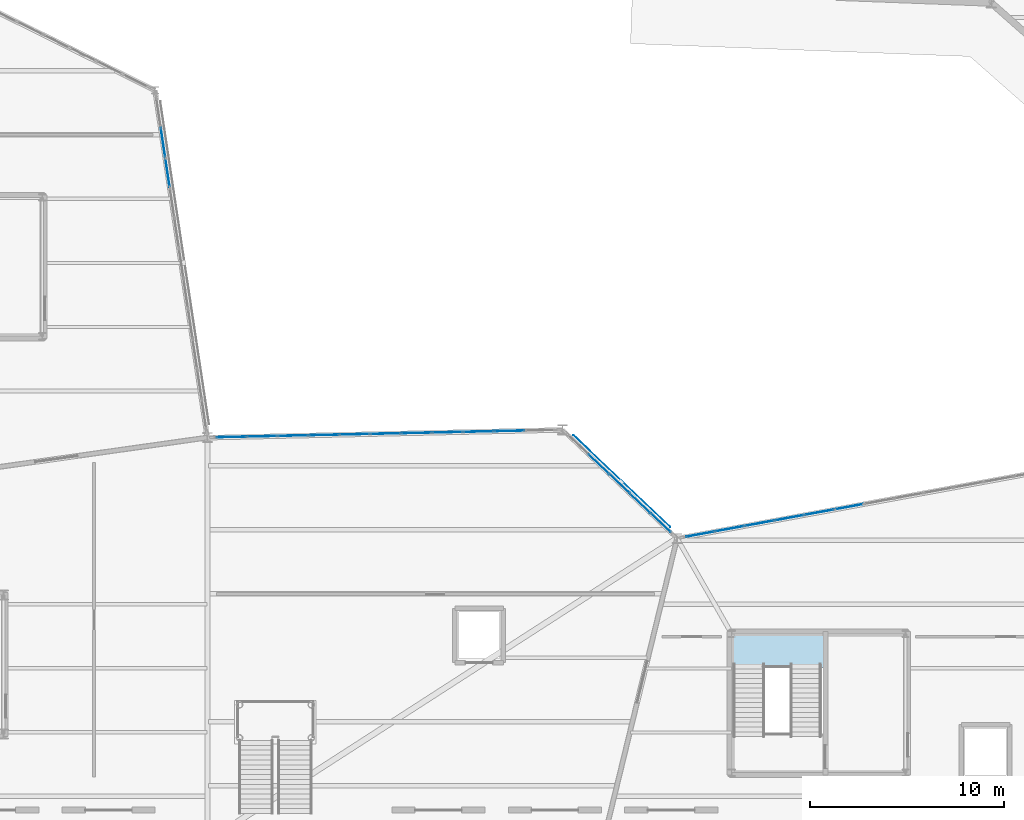
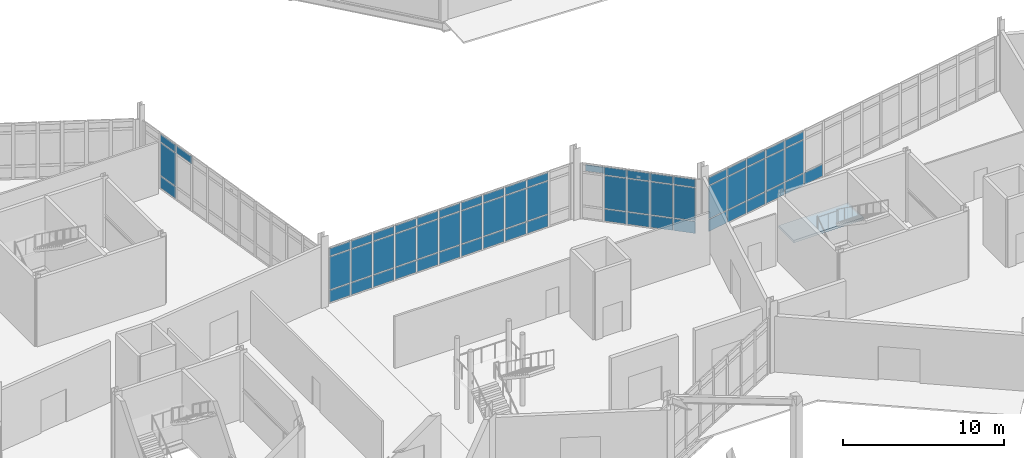
# One storey, part 73 of 113: 63 plates, 1 slab, 5 elements without a shape of their own.
"""IFC4 building model written with IfcOpenShell, lengths in metres."""

from ifc_helpers import new_model, si_unit, direction, frame, origin, origin_2d, place, context, subcontext, project, spatial, polyline, rectangle, outline, extrude, material, layer, layer_set, type_object, element, aggregate, save


model = new_model("IFC4")

# Units and contexts
model_context = context("Model", 3, precision=1e-05, world=origin(), true_north=direction((0.0, 1.0)))
body_context = subcontext(model_context, "Body", "Model", "MODEL_VIEW")
ifc_project = project(units=[si_unit("LENGTHUNIT", "METRE"), si_unit("AREAUNIT", "SQUARE_METRE"), si_unit("VOLUMEUNIT", "CUBIC_METRE"), si_unit("PLANEANGLEUNIT", "RADIAN"), si_unit("MASSUNIT", "GRAM", prefix="KILO")], contexts=[model_context])

# Site, building, storey
site_placement = place(None, origin())
site = spatial("IfcSite", under=ifc_project, at=site_placement, CompositionType="ELEMENT")
building_placement = place(site_placement, origin())
building = spatial("IfcBuilding", under=site, at=building_placement, Name="Tameran Prism Museum", CompositionType="ELEMENT")
storey_placement = place(building_placement, origin())
storey = spatial("IfcBuildingStorey", under=building, at=storey_placement, Name="L00", CompositionType="ELEMENT", Elevation=0.0)

# Curtain wall, plates
ifc_material_1 = material(Name="Anodised Aluminium 6063-T6 and Cyclone Solar Glass", Category="aluminium")
curtain_wall_type_1 = type_object("IfcCurtainWallType", Name="CW-FAC-1734x422", PredefinedType="USERDEFINED", material=ifc_material_1)
curtain_wall_1_placement = place(storey_placement, origin())
curtain_wall_1 = element("IfcCurtainWall", 1, at=curtain_wall_1_placement, inside=storey, type_object=curtain_wall_type_1, Name="Unitised Curtain Wall CW-033", ObjectType="UNITISED CURTAIN WALL", PredefinedType="USERDEFINED")
ifc_material_2 = material(Name="Low-E Laminated Solar Glass", Category="glass")
ifc_layer_1 = layer(ifc_material_2, 0.028076171875)
ifc_layer_set_1 = layer_set([ifc_layer_1])
plate_type_1 = type_object("IfcPlateType", Name="CW-PNL-G28", PredefinedType="CURTAIN_PANEL", material=ifc_layer_set_1)
plate_1_placement = place(storey_placement, frame((75.204833984375, 63.41552734375, 0.0751953125), z_axis=(0.0, 0.0, 1.0), x_axis=(0.149166532852, -0.988812088052, 0.0)))
plate_1 = element("IfcPlate", 2, at=plate_1_placement, type_object=plate_type_1, Name="CW-033 panel 2.1", PredefinedType="CURTAIN_PANEL", context=body_context, shape_type="SweptSolid", body=[
    extrude(rectangle(XDim=1.501708984375, YDim=0.028076171875, at=origin_2d()), origin(), (0.0, 0.0, 1.0), 0.887451171875),
])
plate_2_placement = place(storey_placement, frame((75.204833984375, 63.41552734375, 1.03759765625), z_axis=(0.0, 0.0, 1.0), x_axis=(0.149166532852, -0.988812088052, 0.0)))
plate_2 = element("IfcPlate", 3, at=plate_2_placement, type_object=plate_type_1, Name="CW-033 panel 2.2", PredefinedType="CURTAIN_PANEL", context=body_context, shape_type="SweptSolid", body=[
    extrude(rectangle(XDim=1.501708984375, YDim=0.028076171875, at=origin_2d()), origin(), (0.0, 0.0, 1.0), 2.465087890625),
])
plate_3_placement = place(storey_placement, frame((75.204833984375, 63.41552734375, 3.57763671875), z_axis=(0.0, 0.0, 1.0), x_axis=(0.149166532852, -0.988812088052, 0.0)))
plate_3 = element("IfcPlate", 4, at=plate_3_placement, type_object=plate_type_1, Name="CW-033 panel 2.3", PredefinedType="CURTAIN_PANEL", context=body_context, shape_type="SweptSolid", body=[
    extrude(rectangle(XDim=1.501708984375, YDim=0.028076171875, at=origin_2d()), origin(), (0.0, 0.0, 1.0), 0.5673828125),
])
plate_4_placement = place(storey_placement, frame((75.43994140625, 61.8564453125, 3.57763671875), z_axis=(0.0, 0.0, 1.0), x_axis=(0.149166532852, -0.988812088052, 0.0)))
plate_4 = element("IfcPlate", 5, at=plate_4_placement, type_object=plate_type_1, Name="CW-033 panel 3.3", PredefinedType="CURTAIN_PANEL", context=body_context, shape_type="SweptSolid", body=[
    extrude(rectangle(XDim=1.501708984375, YDim=0.028076171875, at=origin_2d()), origin(), (0.0, 0.0, 1.0), 0.5673828125),
])
aggregate(curtain_wall_1, [plate_1, plate_2, plate_3, plate_4])

ifc_material_3 = material(Name="Anodised Aluminium 6063-T6 and Cyclone Solar Glass", Category="aluminium")
curtain_wall_type_2 = type_object("IfcCurtainWallType", Name="CW-FAC-738x422", PredefinedType="USERDEFINED", material=ifc_material_3)
curtain_wall_2_placement = place(storey_placement, origin())
curtain_wall_2 = element("IfcCurtainWall", 6, at=curtain_wall_2_placement, inside=storey, type_object=curtain_wall_type_2, Name="Unitised Curtain Wall CW-031", ObjectType="UNITISED CURTAIN WALL", PredefinedType="USERDEFINED")
ifc_material_4 = material(Name="Cyclone Laminated Solar Glass", Category="glass")
ifc_layer_2 = layer(ifc_material_4, 0.031982421875)
ifc_layer_set_2 = layer_set([ifc_layer_2])
plate_type_2 = type_object("IfcPlateType", Name="CW-PNL-G32", PredefinedType="CURTAIN_PANEL", material=ifc_layer_set_2)
plate_5_placement = place(storey_placement, frame((97.65869140625, 46.8359375, 0.06494140625), z_axis=(0.0, 0.0, 1.0), x_axis=(0.725307438491, -0.688425100987, 0.0)))
plate_5 = element("IfcPlate", 7, at=plate_5_placement, type_object=plate_type_2, Name="CW-031 panel 2.1", PredefinedType="CURTAIN_PANEL", context=body_context, shape_type="SweptSolid", body=[
    extrude(rectangle(XDim=1.409912109375, YDim=0.031982421875, at=origin_2d()), origin(), (0.0, 0.0, 1.0), 0.902587890625),
])
plate_6_placement = place(storey_placement, frame((97.65869140625, 46.8359375, 1.032470703125), z_axis=(0.0, 0.0, 1.0), x_axis=(0.725307438491, -0.688425100987, 0.0)))
plate_6 = element("IfcPlate", 8, at=plate_6_placement, type_object=plate_type_2, Name="CW-031 panel 2.2", PredefinedType="CURTAIN_PANEL", context=body_context, shape_type="SweptSolid", body=[
    extrude(rectangle(XDim=1.409912109375, YDim=0.031982421875, at=origin_2d()), origin(), (0.0, 0.0, 1.0), 2.47509765625),
])
plate_7_placement = place(storey_placement, frame((97.65869140625, 46.8359375, 3.572509765625), z_axis=(0.0, 0.0, 1.0), x_axis=(0.725307438491, -0.688425100987, 0.0)))
plate_7 = element("IfcPlate", 9, at=plate_7_placement, type_object=plate_type_2, Name="CW-031 panel 2.3", PredefinedType="CURTAIN_PANEL", context=body_context, shape_type="SweptSolid", body=[
    extrude(rectangle(XDim=1.409912109375, YDim=0.031982421875, at=origin_2d()), origin(), (0.0, 0.0, 1.0), 0.58251953125),
])
plate_8_placement = place(storey_placement, frame((98.728515625, 45.820556640625, 0.06494140625), z_axis=(0.0, 0.0, 1.0), x_axis=(0.725307438491, -0.688425100987, 0.0)))
plate_8 = element("IfcPlate", 10, at=plate_8_placement, type_object=plate_type_2, Name="CW-031 panel 3.1", PredefinedType="CURTAIN_PANEL", context=body_context, shape_type="SweptSolid", body=[
    extrude(rectangle(XDim=1.409912109375, YDim=0.031982421875, at=origin_2d()), origin(), (0.0, 0.0, 1.0), 0.902587890625),
])
plate_9_placement = place(storey_placement, frame((98.728515625, 45.820556640625, 1.032470703125), z_axis=(0.0, 0.0, 1.0), x_axis=(0.725307438491, -0.688425100987, 0.0)))
plate_9 = element("IfcPlate", 11, at=plate_9_placement, type_object=plate_type_2, Name="CW-031 panel 3.2", PredefinedType="CURTAIN_PANEL", context=body_context, shape_type="SweptSolid", body=[
    extrude(rectangle(XDim=1.409912109375, YDim=0.031982421875, at=origin_2d()), origin(), (0.0, 0.0, 1.0), 2.47509765625),
])
plate_10_placement = place(storey_placement, frame((98.728515625, 45.820556640625, 3.572509765625), z_axis=(0.0, 0.0, 1.0), x_axis=(0.725307438491, -0.688425100987, 0.0)))
plate_10 = element("IfcPlate", 12, at=plate_10_placement, type_object=plate_type_2, Name="CW-031 panel 3.3", PredefinedType="CURTAIN_PANEL", context=body_context, shape_type="SweptSolid", body=[
    extrude(rectangle(XDim=1.409912109375, YDim=0.031982421875, at=origin_2d()), origin(), (0.0, 0.0, 1.0), 0.58251953125),
])
plate_11_placement = place(storey_placement, frame((99.79833984375, 44.80517578125, 0.06494140625), z_axis=(0.0, 0.0, 1.0), x_axis=(0.725307438491, -0.688425100987, 0.0)))
plate_11 = element("IfcPlate", 13, at=plate_11_placement, type_object=plate_type_2, Name="CW-031 panel 4.1", PredefinedType="CURTAIN_PANEL", context=body_context, shape_type="SweptSolid", body=[
    extrude(rectangle(XDim=1.409912109375, YDim=0.031982421875, at=origin_2d()), origin(), (0.0, 0.0, 1.0), 0.902587890625),
])
plate_12_placement = place(storey_placement, frame((99.79833984375, 44.80517578125, 1.032470703125), z_axis=(0.0, 0.0, 1.0), x_axis=(0.725307438491, -0.688425100987, 0.0)))
plate_12 = element("IfcPlate", 14, at=plate_12_placement, type_object=plate_type_2, Name="CW-031 panel 4.2", PredefinedType="CURTAIN_PANEL", context=body_context, shape_type="SweptSolid", body=[
    extrude(rectangle(XDim=1.409912109375, YDim=0.031982421875, at=origin_2d()), origin(), (0.0, 0.0, 1.0), 2.47509765625),
])
plate_13_placement = place(storey_placement, frame((99.79833984375, 44.80517578125, 3.572509765625), z_axis=(0.0, 0.0, 1.0), x_axis=(0.725307438491, -0.688425100987, 0.0)))
plate_13 = element("IfcPlate", 15, at=plate_13_placement, type_object=plate_type_2, Name="CW-031 panel 4.3", PredefinedType="CURTAIN_PANEL", context=body_context, shape_type="SweptSolid", body=[
    extrude(rectangle(XDim=1.409912109375, YDim=0.031982421875, at=origin_2d()), origin(), (0.0, 0.0, 1.0), 0.58251953125),
])
plate_14_placement = place(storey_placement, frame((100.856201171875, 43.80078125, 0.06494140625), z_axis=(0.0, 0.0, 1.0), x_axis=(0.725307438491, -0.688425100987, 0.0)))
plate_14 = element("IfcPlate", 16, at=plate_14_placement, type_object=plate_type_2, Name="CW-031 panel 5.1", PredefinedType="CURTAIN_PANEL", context=body_context, shape_type="SweptSolid", body=[
    extrude(rectangle(XDim=1.37744140625, YDim=0.031982421875, at=origin_2d()), origin(), (0.0, 0.0, 1.0), 0.902587890625),
])
plate_15_placement = place(storey_placement, frame((100.856201171875, 43.80078125, 1.032470703125), z_axis=(0.0, 0.0, 1.0), x_axis=(0.725307438491, -0.688425100987, 0.0)))
plate_15 = element("IfcPlate", 17, at=plate_15_placement, type_object=plate_type_2, Name="CW-031 panel 5.2", PredefinedType="CURTAIN_PANEL", context=body_context, shape_type="SweptSolid", body=[
    extrude(rectangle(XDim=1.37744140625, YDim=0.031982421875, at=origin_2d()), origin(), (0.0, 0.0, 1.0), 2.47509765625),
])
plate_16_placement = place(storey_placement, frame((100.856201171875, 43.80078125, 3.572509765625), z_axis=(0.0, 0.0, 1.0), x_axis=(0.725307438491, -0.688425100987, 0.0)))
plate_16 = element("IfcPlate", 18, at=plate_16_placement, type_object=plate_type_2, Name="CW-031 panel 5.3", PredefinedType="CURTAIN_PANEL", context=body_context, shape_type="SweptSolid", body=[
    extrude(rectangle(XDim=1.37744140625, YDim=0.031982421875, at=origin_2d()), origin(), (0.0, 0.0, 1.0), 0.58251953125),
])
aggregate(curtain_wall_2, [plate_5, plate_6, plate_7, plate_8, plate_9, plate_10, plate_11, plate_12, plate_13, plate_14, plate_15, plate_16])

ifc_material_5 = material(Name="Anodised Aluminium 6063-T6 and Cyclone Solar Glass", Category="aluminium")
curtain_wall_type_3 = type_object("IfcCurtainWallType", Name="CW-FAC-1754x422", PredefinedType="USERDEFINED", material=ifc_material_5)
curtain_wall_3_placement = place(storey_placement, origin())
curtain_wall_3 = element("IfcCurtainWall", 19, at=curtain_wall_3_placement, inside=storey, type_object=curtain_wall_type_3, Name="Unitised Curtain Wall CW-032", ObjectType="UNITISED CURTAIN WALL", PredefinedType="USERDEFINED")
plate_17_placement = place(storey_placement, frame((78.724853515625, 48.226806640625, 0.070068359375), z_axis=(0.0, 0.0, 1.0), x_axis=(0.999761684053, 0.021830600058, 0.0)))
plate_17 = element("IfcPlate", 20, at=plate_17_placement, type_object=plate_type_2, Name="CW-032 panel 1.1", PredefinedType="CURTAIN_PANEL", context=body_context, shape_type="SweptSolid", body=[
    extrude(rectangle(XDim=1.489990234375, YDim=0.031982421875, at=origin_2d()), origin(), (0.0, 0.0, 1.0), 0.89501953125),
])
plate_18_placement = place(storey_placement, frame((78.724853515625, 48.226806640625, 1.03515625), z_axis=(0.0, 0.0, 1.0), x_axis=(0.999761684053, 0.021830600058, 0.0)))
plate_18 = element("IfcPlate", 21, at=plate_18_placement, type_object=plate_type_2, Name="CW-032 panel 1.2", PredefinedType="CURTAIN_PANEL", context=body_context, shape_type="SweptSolid", body=[
    extrude(rectangle(XDim=1.489990234375, YDim=0.031982421875, at=origin_2d()), origin(), (0.0, 0.0, 1.0), 2.469970703125),
])
plate_19_placement = place(storey_placement, frame((78.724853515625, 48.226806640625, 3.5751953125), z_axis=(0.0, 0.0, 1.0), x_axis=(0.999761684053, 0.021830600058, 0.0)))
plate_19 = element("IfcPlate", 22, at=plate_19_placement, type_object=plate_type_2, Name="CW-032 panel 1.3", PredefinedType="CURTAIN_PANEL", context=body_context, shape_type="SweptSolid", body=[
    extrude(rectangle(XDim=1.489990234375, YDim=0.031982421875, at=origin_2d()), origin(), (0.0, 0.0, 1.0), 0.574951171875),
])
plate_20_placement = place(storey_placement, frame((80.3017578125, 48.26123046875, 0.070068359375), z_axis=(0.0, 0.0, 1.0), x_axis=(0.999761684053, 0.021830600058, 0.0)))
plate_20 = element("IfcPlate", 23, at=plate_20_placement, type_object=plate_type_2, Name="CW-032 panel 2.1", PredefinedType="CURTAIN_PANEL", context=body_context, shape_type="SweptSolid", body=[
    extrude(rectangle(XDim=1.52490234375, YDim=0.031982421875, at=origin_2d()), origin(), (0.0, 0.0, 1.0), 0.89501953125),
])
plate_21_placement = place(storey_placement, frame((80.3017578125, 48.26123046875, 1.03515625), z_axis=(0.0, 0.0, 1.0), x_axis=(0.999761684053, 0.021830600058, 0.0)))
plate_21 = element("IfcPlate", 24, at=plate_21_placement, type_object=plate_type_2, Name="CW-032 panel 2.2", PredefinedType="CURTAIN_PANEL", context=body_context, shape_type="SweptSolid", body=[
    extrude(rectangle(XDim=1.52490234375, YDim=0.031982421875, at=origin_2d()), origin(), (0.0, 0.0, 1.0), 2.469970703125),
])
plate_22_placement = place(storey_placement, frame((80.3017578125, 48.26123046875, 3.5751953125), z_axis=(0.0, 0.0, 1.0), x_axis=(0.999761684053, 0.021830600058, 0.0)))
plate_22 = element("IfcPlate", 25, at=plate_22_placement, type_object=plate_type_2, Name="CW-032 panel 2.3", PredefinedType="CURTAIN_PANEL", context=body_context, shape_type="SweptSolid", body=[
    extrude(rectangle(XDim=1.52490234375, YDim=0.031982421875, at=origin_2d()), origin(), (0.0, 0.0, 1.0), 0.574951171875),
])
plate_23_placement = place(storey_placement, frame((81.896484375, 48.296142578125, 0.070068359375), z_axis=(0.0, 0.0, 1.0), x_axis=(0.999761684053, 0.021830600058, 0.0)))
plate_23 = element("IfcPlate", 26, at=plate_23_placement, type_object=plate_type_2, Name="CW-032 panel 3.1", PredefinedType="CURTAIN_PANEL", context=body_context, shape_type="SweptSolid", body=[
    extrude(rectangle(XDim=1.52490234375, YDim=0.031982421875, at=origin_2d()), origin(), (0.0, 0.0, 1.0), 0.89501953125),
])
plate_24_placement = place(storey_placement, frame((81.896484375, 48.296142578125, 1.03515625), z_axis=(0.0, 0.0, 1.0), x_axis=(0.999761684053, 0.021830600058, 0.0)))
plate_24 = element("IfcPlate", 27, at=plate_24_placement, type_object=plate_type_2, Name="CW-032 panel 3.2", PredefinedType="CURTAIN_PANEL", context=body_context, shape_type="SweptSolid", body=[
    extrude(rectangle(XDim=1.52490234375, YDim=0.031982421875, at=origin_2d()), origin(), (0.0, 0.0, 1.0), 2.469970703125),
])
plate_25_placement = place(storey_placement, frame((81.896484375, 48.296142578125, 3.5751953125), z_axis=(0.0, 0.0, 1.0), x_axis=(0.999761684053, 0.021830600058, 0.0)))
plate_25 = element("IfcPlate", 28, at=plate_25_placement, type_object=plate_type_2, Name="CW-032 panel 3.3", PredefinedType="CURTAIN_PANEL", context=body_context, shape_type="SweptSolid", body=[
    extrude(rectangle(XDim=1.52490234375, YDim=0.031982421875, at=origin_2d()), origin(), (0.0, 0.0, 1.0), 0.574951171875),
])
plate_26_placement = place(storey_placement, frame((83.490966796875, 48.330810546875, 0.070068359375), z_axis=(0.0, 0.0, 1.0), x_axis=(0.999761684053, 0.021830600058, 0.0)))
plate_26 = element("IfcPlate", 29, at=plate_26_placement, type_object=plate_type_2, Name="CW-032 panel 4.1", PredefinedType="CURTAIN_PANEL", context=body_context, shape_type="SweptSolid", body=[
    extrude(rectangle(XDim=1.52490234375, YDim=0.031982421875, at=origin_2d()), origin(), (0.0, 0.0, 1.0), 0.89501953125),
])
plate_27_placement = place(storey_placement, frame((83.490966796875, 48.330810546875, 1.03515625), z_axis=(0.0, 0.0, 1.0), x_axis=(0.999761684053, 0.021830600058, 0.0)))
plate_27 = element("IfcPlate", 30, at=plate_27_placement, type_object=plate_type_2, Name="CW-032 panel 4.2", PredefinedType="CURTAIN_PANEL", context=body_context, shape_type="SweptSolid", body=[
    extrude(rectangle(XDim=1.52490234375, YDim=0.031982421875, at=origin_2d()), origin(), (0.0, 0.0, 1.0), 2.469970703125),
])
plate_28_placement = place(storey_placement, frame((83.490966796875, 48.330810546875, 3.5751953125), z_axis=(0.0, 0.0, 1.0), x_axis=(0.999761684053, 0.021830600058, 0.0)))
plate_28 = element("IfcPlate", 31, at=plate_28_placement, type_object=plate_type_2, Name="CW-032 panel 4.3", PredefinedType="CURTAIN_PANEL", context=body_context, shape_type="SweptSolid", body=[
    extrude(rectangle(XDim=1.52490234375, YDim=0.031982421875, at=origin_2d()), origin(), (0.0, 0.0, 1.0), 0.574951171875),
])
plate_29_placement = place(storey_placement, frame((85.08544921875, 48.36572265625, 0.070068359375), z_axis=(0.0, 0.0, 1.0), x_axis=(0.999761684053, 0.021830600058, 0.0)))
plate_29 = element("IfcPlate", 32, at=plate_29_placement, type_object=plate_type_2, Name="CW-032 panel 5.1", PredefinedType="CURTAIN_PANEL", context=body_context, shape_type="SweptSolid", body=[
    extrude(rectangle(XDim=1.52490234375, YDim=0.031982421875, at=origin_2d()), origin(), (0.0, 0.0, 1.0), 0.89501953125),
])
plate_30_placement = place(storey_placement, frame((85.08544921875, 48.36572265625, 1.03515625), z_axis=(0.0, 0.0, 1.0), x_axis=(0.999761684053, 0.021830600058, 0.0)))
plate_30 = element("IfcPlate", 33, at=plate_30_placement, type_object=plate_type_2, Name="CW-032 panel 5.2", PredefinedType="CURTAIN_PANEL", context=body_context, shape_type="SweptSolid", body=[
    extrude(rectangle(XDim=1.52490234375, YDim=0.031982421875, at=origin_2d()), origin(), (0.0, 0.0, 1.0), 2.469970703125),
])
plate_31_placement = place(storey_placement, frame((85.08544921875, 48.36572265625, 3.5751953125), z_axis=(0.0, 0.0, 1.0), x_axis=(0.999761684053, 0.021830600058, 0.0)))
plate_31 = element("IfcPlate", 34, at=plate_31_placement, type_object=plate_type_2, Name="CW-032 panel 5.3", PredefinedType="CURTAIN_PANEL", context=body_context, shape_type="SweptSolid", body=[
    extrude(rectangle(XDim=1.52490234375, YDim=0.031982421875, at=origin_2d()), origin(), (0.0, 0.0, 1.0), 0.574951171875),
])
plate_32_placement = place(storey_placement, frame((86.679931640625, 48.400390625, 0.070068359375), z_axis=(0.0, 0.0, 1.0), x_axis=(0.999761684053, 0.021830600058, 0.0)))
plate_32 = element("IfcPlate", 35, at=plate_32_placement, type_object=plate_type_2, Name="CW-032 panel 6.1", PredefinedType="CURTAIN_PANEL", context=body_context, shape_type="SweptSolid", body=[
    extrude(rectangle(XDim=1.52490234375, YDim=0.031982421875, at=origin_2d()), origin(), (0.0, 0.0, 1.0), 0.89501953125),
])
plate_33_placement = place(storey_placement, frame((86.679931640625, 48.400390625, 1.03515625), z_axis=(0.0, 0.0, 1.0), x_axis=(0.999761684053, 0.021830600058, 0.0)))
plate_33 = element("IfcPlate", 36, at=plate_33_placement, type_object=plate_type_2, Name="CW-032 panel 6.2", PredefinedType="CURTAIN_PANEL", context=body_context, shape_type="SweptSolid", body=[
    extrude(rectangle(XDim=1.52490234375, YDim=0.031982421875, at=origin_2d()), origin(), (0.0, 0.0, 1.0), 2.469970703125),
])
plate_34_placement = place(storey_placement, frame((86.679931640625, 48.400390625, 3.5751953125), z_axis=(0.0, 0.0, 1.0), x_axis=(0.999761684053, 0.021830600058, 0.0)))
plate_34 = element("IfcPlate", 37, at=plate_34_placement, type_object=plate_type_2, Name="CW-032 panel 6.3", PredefinedType="CURTAIN_PANEL", context=body_context, shape_type="SweptSolid", body=[
    extrude(rectangle(XDim=1.52490234375, YDim=0.031982421875, at=origin_2d()), origin(), (0.0, 0.0, 1.0), 0.574951171875),
])
plate_35_placement = place(storey_placement, frame((88.274658203125, 48.435302734375, 0.070068359375), z_axis=(0.0, 0.0, 1.0), x_axis=(0.999761684053, 0.021830600058, 0.0)))
plate_35 = element("IfcPlate", 38, at=plate_35_placement, type_object=plate_type_2, Name="CW-032 panel 7.1", PredefinedType="CURTAIN_PANEL", context=body_context, shape_type="SweptSolid", body=[
    extrude(rectangle(XDim=1.52490234375, YDim=0.031982421875, at=origin_2d()), origin(), (0.0, 0.0, 1.0), 0.89501953125),
])
plate_36_placement = place(storey_placement, frame((88.274658203125, 48.435302734375, 1.03515625), z_axis=(0.0, 0.0, 1.0), x_axis=(0.999761684053, 0.021830600058, 0.0)))
plate_36 = element("IfcPlate", 39, at=plate_36_placement, type_object=plate_type_2, Name="CW-032 panel 7.2", PredefinedType="CURTAIN_PANEL", context=body_context, shape_type="SweptSolid", body=[
    extrude(rectangle(XDim=1.52490234375, YDim=0.031982421875, at=origin_2d()), origin(), (0.0, 0.0, 1.0), 2.469970703125),
])
plate_37_placement = place(storey_placement, frame((88.274658203125, 48.435302734375, 3.5751953125), z_axis=(0.0, 0.0, 1.0), x_axis=(0.999761684053, 0.021830600058, 0.0)))
plate_37 = element("IfcPlate", 40, at=plate_37_placement, type_object=plate_type_2, Name="CW-032 panel 7.3", PredefinedType="CURTAIN_PANEL", context=body_context, shape_type="SweptSolid", body=[
    extrude(rectangle(XDim=1.52490234375, YDim=0.031982421875, at=origin_2d()), origin(), (0.0, 0.0, 1.0), 0.574951171875),
])
plate_38_placement = place(storey_placement, frame((89.869140625, 48.47021484375, 0.070068359375), z_axis=(0.0, 0.0, 1.0), x_axis=(0.999761684053, 0.021830600058, 0.0)))
plate_38 = element("IfcPlate", 41, at=plate_38_placement, type_object=plate_type_2, Name="CW-032 panel 8.1", PredefinedType="CURTAIN_PANEL", context=body_context, shape_type="SweptSolid", body=[
    extrude(rectangle(XDim=1.52490234375, YDim=0.031982421875, at=origin_2d()), origin(), (0.0, 0.0, 1.0), 0.89501953125),
])
plate_39_placement = place(storey_placement, frame((89.869140625, 48.47021484375, 1.03515625), z_axis=(0.0, 0.0, 1.0), x_axis=(0.999761684053, 0.021830600058, 0.0)))
plate_39 = element("IfcPlate", 42, at=plate_39_placement, type_object=plate_type_2, Name="CW-032 panel 8.2", PredefinedType="CURTAIN_PANEL", context=body_context, shape_type="SweptSolid", body=[
    extrude(rectangle(XDim=1.52490234375, YDim=0.031982421875, at=origin_2d()), origin(), (0.0, 0.0, 1.0), 2.469970703125),
])
plate_40_placement = place(storey_placement, frame((89.869140625, 48.47021484375, 3.5751953125), z_axis=(0.0, 0.0, 1.0), x_axis=(0.999761684053, 0.021830600058, 0.0)))
plate_40 = element("IfcPlate", 43, at=plate_40_placement, type_object=plate_type_2, Name="CW-032 panel 8.3", PredefinedType="CURTAIN_PANEL", context=body_context, shape_type="SweptSolid", body=[
    extrude(rectangle(XDim=1.52490234375, YDim=0.031982421875, at=origin_2d()), origin(), (0.0, 0.0, 1.0), 0.574951171875),
])
plate_41_placement = place(storey_placement, frame((91.463623046875, 48.5048828125, 0.070068359375), z_axis=(0.0, 0.0, 1.0), x_axis=(0.999761684053, 0.021830600058, 0.0)))
plate_41 = element("IfcPlate", 44, at=plate_41_placement, type_object=plate_type_2, Name="CW-032 panel 9.1", PredefinedType="CURTAIN_PANEL", context=body_context, shape_type="SweptSolid", body=[
    extrude(rectangle(XDim=1.52490234375, YDim=0.031982421875, at=origin_2d()), origin(), (0.0, 0.0, 1.0), 0.89501953125),
])
plate_42_placement = place(storey_placement, frame((91.463623046875, 48.5048828125, 1.03515625), z_axis=(0.0, 0.0, 1.0), x_axis=(0.999761684053, 0.021830600058, 0.0)))
plate_42 = element("IfcPlate", 45, at=plate_42_placement, type_object=plate_type_2, Name="CW-032 panel 9.2", PredefinedType="CURTAIN_PANEL", context=body_context, shape_type="SweptSolid", body=[
    extrude(rectangle(XDim=1.52490234375, YDim=0.031982421875, at=origin_2d()), origin(), (0.0, 0.0, 1.0), 2.469970703125),
])
plate_43_placement = place(storey_placement, frame((91.463623046875, 48.5048828125, 3.5751953125), z_axis=(0.0, 0.0, 1.0), x_axis=(0.999761684053, 0.021830600058, 0.0)))
plate_43 = element("IfcPlate", 46, at=plate_43_placement, type_object=plate_type_2, Name="CW-032 panel 9.3", PredefinedType="CURTAIN_PANEL", context=body_context, shape_type="SweptSolid", body=[
    extrude(rectangle(XDim=1.52490234375, YDim=0.031982421875, at=origin_2d()), origin(), (0.0, 0.0, 1.0), 0.574951171875),
])
plate_44_placement = place(storey_placement, frame((93.05810546875, 48.539794921875, 0.070068359375), z_axis=(0.0, 0.0, 1.0), x_axis=(0.999761684053, 0.021830600058, 0.0)))
plate_44 = element("IfcPlate", 47, at=plate_44_placement, type_object=plate_type_2, Name="CW-032 panel 10.1", PredefinedType="CURTAIN_PANEL", context=body_context, shape_type="SweptSolid", body=[
    extrude(rectangle(XDim=1.52490234375, YDim=0.031982421875, at=origin_2d()), origin(), (0.0, 0.0, 1.0), 0.89501953125),
])
plate_45_placement = place(storey_placement, frame((93.05810546875, 48.539794921875, 1.03515625), z_axis=(0.0, 0.0, 1.0), x_axis=(0.999761684053, 0.021830600058, 0.0)))
plate_45 = element("IfcPlate", 48, at=plate_45_placement, type_object=plate_type_2, Name="CW-032 panel 10.2", PredefinedType="CURTAIN_PANEL", context=body_context, shape_type="SweptSolid", body=[
    extrude(rectangle(XDim=1.52490234375, YDim=0.031982421875, at=origin_2d()), origin(), (0.0, 0.0, 1.0), 2.469970703125),
])
plate_46_placement = place(storey_placement, frame((93.05810546875, 48.539794921875, 3.5751953125), z_axis=(0.0, 0.0, 1.0), x_axis=(0.999761684053, 0.021830600058, 0.0)))
plate_46 = element("IfcPlate", 49, at=plate_46_placement, type_object=plate_type_2, Name="CW-032 panel 10.3", PredefinedType="CURTAIN_PANEL", context=body_context, shape_type="SweptSolid", body=[
    extrude(rectangle(XDim=1.52490234375, YDim=0.031982421875, at=origin_2d()), origin(), (0.0, 0.0, 1.0), 0.574951171875),
])
aggregate(curtain_wall_3, [plate_17, plate_18, plate_19, plate_20, plate_21, plate_22, plate_23, plate_24, plate_25, plate_26, plate_27, plate_28, plate_29, plate_30, plate_31, plate_32, plate_33, plate_34, plate_35, plate_36, plate_37, plate_38, plate_39, plate_40, plate_41, plate_42, plate_43, plate_44, plate_45, plate_46])

ifc_material_6 = material(Name="Anodised Aluminium 6063-T6 and Cyclone Solar Glass", Category="aluminium")
curtain_wall_type_4 = type_object("IfcCurtainWallType", Name="CW-FAC-2348x422", PredefinedType="USERDEFINED", material=ifc_material_6)
curtain_wall_4_placement = place(storey_placement, origin())
curtain_wall_4 = element("IfcCurtainWall", 50, at=curtain_wall_4_placement, inside=storey, type_object=curtain_wall_type_4, Name="Unitised Curtain Wall CW-036", ObjectType="UNITISED CURTAIN WALL", PredefinedType="USERDEFINED")
plate_47_placement = place(storey_placement, frame((102.889892578125, 43.21875, 0.070068359375), z_axis=(0.0, 0.0, 1.0), x_axis=(0.98347155585, 0.181062693106, 0.0)))
plate_47 = element("IfcPlate", 51, at=plate_47_placement, type_object=plate_type_2, Name="CW-036 panel 1.1", PredefinedType="CURTAIN_PANEL", context=body_context, shape_type="SweptSolid", body=[
    extrude(rectangle(XDim=1.460205078125, YDim=0.031982421875, at=origin_2d()), origin(), (0.0, 0.0, 1.0), 0.89501953125),
])
plate_48_placement = place(storey_placement, frame((102.889892578125, 43.21875, 1.03515625), z_axis=(0.0, 0.0, 1.0), x_axis=(0.98347155585, 0.181062693106, 0.0)))
plate_48 = element("IfcPlate", 52, at=plate_48_placement, type_object=plate_type_2, Name="CW-036 panel 1.2", PredefinedType="CURTAIN_PANEL", context=body_context, shape_type="SweptSolid", body=[
    extrude(rectangle(XDim=1.460205078125, YDim=0.031982421875, at=origin_2d()), origin(), (0.0, 0.0, 1.0), 2.469970703125),
])
plate_49_placement = place(storey_placement, frame((102.889892578125, 43.21875, 3.5751953125), z_axis=(0.0, 0.0, 1.0), x_axis=(0.98347155585, 0.181062693106, 0.0)))
plate_49 = element("IfcPlate", 53, at=plate_49_placement, type_object=plate_type_2, Name="CW-036 panel 1.3", PredefinedType="CURTAIN_PANEL", context=body_context, shape_type="SweptSolid", body=[
    extrude(rectangle(XDim=1.460205078125, YDim=0.031982421875, at=origin_2d()), origin(), (0.0, 0.0, 1.0), 0.574951171875),
])
plate_50_placement = place(storey_placement, frame((104.412109375, 43.4990234375, 0.070068359375), z_axis=(0.0, 0.0, 1.0), x_axis=(0.98347155585, 0.181062693106, 0.0)))
plate_50 = element("IfcPlate", 54, at=plate_50_placement, type_object=plate_type_2, Name="CW-036 panel 2.1", PredefinedType="CURTAIN_PANEL", context=body_context, shape_type="SweptSolid", body=[
    extrude(rectangle(XDim=1.4951171875, YDim=0.031982421875, at=origin_2d()), origin(), (0.0, 0.0, 1.0), 0.89501953125),
])
plate_51_placement = place(storey_placement, frame((104.412109375, 43.4990234375, 1.03515625), z_axis=(0.0, 0.0, 1.0), x_axis=(0.98347155585, 0.181062693106, 0.0)))
plate_51 = element("IfcPlate", 55, at=plate_51_placement, type_object=plate_type_2, Name="CW-036 panel 2.2", PredefinedType="CURTAIN_PANEL", context=body_context, shape_type="SweptSolid", body=[
    extrude(rectangle(XDim=1.4951171875, YDim=0.031982421875, at=origin_2d()), origin(), (0.0, 0.0, 1.0), 2.469970703125),
])
plate_52_placement = place(storey_placement, frame((104.412109375, 43.4990234375, 3.5751953125), z_axis=(0.0, 0.0, 1.0), x_axis=(0.98347155585, 0.181062693106, 0.0)))
plate_52 = element("IfcPlate", 56, at=plate_52_placement, type_object=plate_type_2, Name="CW-036 panel 2.3", PredefinedType="CURTAIN_PANEL", context=body_context, shape_type="SweptSolid", body=[
    extrude(rectangle(XDim=1.4951171875, YDim=0.031982421875, at=origin_2d()), origin(), (0.0, 0.0, 1.0), 0.574951171875),
])
plate_53_placement = place(storey_placement, frame((105.951416015625, 43.782470703125, 0.070068359375), z_axis=(0.0, 0.0, 1.0), x_axis=(0.98347155585, 0.181062693106, 0.0)))
plate_53 = element("IfcPlate", 57, at=plate_53_placement, type_object=plate_type_2, Name="CW-036 panel 3.1", PredefinedType="CURTAIN_PANEL", context=body_context, shape_type="SweptSolid", body=[
    extrude(rectangle(XDim=1.4951171875, YDim=0.031982421875, at=origin_2d()), origin(), (0.0, 0.0, 1.0), 0.89501953125),
])
plate_54_placement = place(storey_placement, frame((105.951416015625, 43.782470703125, 1.03515625), z_axis=(0.0, 0.0, 1.0), x_axis=(0.98347155585, 0.181062693106, 0.0)))
plate_54 = element("IfcPlate", 58, at=plate_54_placement, type_object=plate_type_2, Name="CW-036 panel 3.2", PredefinedType="CURTAIN_PANEL", context=body_context, shape_type="SweptSolid", body=[
    extrude(rectangle(XDim=1.4951171875, YDim=0.031982421875, at=origin_2d()), origin(), (0.0, 0.0, 1.0), 2.469970703125),
])
plate_55_placement = place(storey_placement, frame((105.951416015625, 43.782470703125, 3.5751953125), z_axis=(0.0, 0.0, 1.0), x_axis=(0.98347155585, 0.181062693106, 0.0)))
plate_55 = element("IfcPlate", 59, at=plate_55_placement, type_object=plate_type_2, Name="CW-036 panel 3.3", PredefinedType="CURTAIN_PANEL", context=body_context, shape_type="SweptSolid", body=[
    extrude(rectangle(XDim=1.4951171875, YDim=0.031982421875, at=origin_2d()), origin(), (0.0, 0.0, 1.0), 0.574951171875),
])
plate_56_placement = place(storey_placement, frame((107.49072265625, 44.06591796875, 0.070068359375), z_axis=(0.0, 0.0, 1.0), x_axis=(0.98347155585, 0.181062693106, 0.0)))
plate_56 = element("IfcPlate", 60, at=plate_56_placement, type_object=plate_type_2, Name="CW-036 panel 4.1", PredefinedType="CURTAIN_PANEL", context=body_context, shape_type="SweptSolid", body=[
    extrude(rectangle(XDim=1.4951171875, YDim=0.031982421875, at=origin_2d()), origin(), (0.0, 0.0, 1.0), 0.89501953125),
])
plate_57_placement = place(storey_placement, frame((107.49072265625, 44.06591796875, 1.03515625), z_axis=(0.0, 0.0, 1.0), x_axis=(0.98347155585, 0.181062693106, 0.0)))
plate_57 = element("IfcPlate", 61, at=plate_57_placement, type_object=plate_type_2, Name="CW-036 panel 4.2", PredefinedType="CURTAIN_PANEL", context=body_context, shape_type="SweptSolid", body=[
    extrude(rectangle(XDim=1.4951171875, YDim=0.031982421875, at=origin_2d()), origin(), (0.0, 0.0, 1.0), 2.469970703125),
])
plate_58_placement = place(storey_placement, frame((107.49072265625, 44.06591796875, 3.5751953125), z_axis=(0.0, 0.0, 1.0), x_axis=(0.98347155585, 0.181062693106, 0.0)))
plate_58 = element("IfcPlate", 62, at=plate_58_placement, type_object=plate_type_2, Name="CW-036 panel 4.3", PredefinedType="CURTAIN_PANEL", context=body_context, shape_type="SweptSolid", body=[
    extrude(rectangle(XDim=1.4951171875, YDim=0.031982421875, at=origin_2d()), origin(), (0.0, 0.0, 1.0), 0.574951171875),
])
plate_59_placement = place(storey_placement, frame((109.030029296875, 44.349365234375, 0.070068359375), z_axis=(0.0, 0.0, 1.0), x_axis=(0.98347155585, 0.181062693106, 0.0)))
plate_59 = element("IfcPlate", 63, at=plate_59_placement, type_object=plate_type_2, Name="CW-036 panel 5.1", PredefinedType="CURTAIN_PANEL", context=body_context, shape_type="SweptSolid", body=[
    extrude(rectangle(XDim=1.4951171875, YDim=0.031982421875, at=origin_2d()), origin(), (0.0, 0.0, 1.0), 0.89501953125),
])
plate_60_placement = place(storey_placement, frame((109.030029296875, 44.349365234375, 1.03515625), z_axis=(0.0, 0.0, 1.0), x_axis=(0.98347155585, 0.181062693106, 0.0)))
plate_60 = element("IfcPlate", 64, at=plate_60_placement, type_object=plate_type_2, Name="CW-036 panel 5.2", PredefinedType="CURTAIN_PANEL", context=body_context, shape_type="SweptSolid", body=[
    extrude(rectangle(XDim=1.4951171875, YDim=0.031982421875, at=origin_2d()), origin(), (0.0, 0.0, 1.0), 2.469970703125),
])
plate_61_placement = place(storey_placement, frame((109.030029296875, 44.349365234375, 3.5751953125), z_axis=(0.0, 0.0, 1.0), x_axis=(0.98347155585, 0.181062693106, 0.0)))
plate_61 = element("IfcPlate", 65, at=plate_61_placement, type_object=plate_type_2, Name="CW-036 panel 5.3", PredefinedType="CURTAIN_PANEL", context=body_context, shape_type="SweptSolid", body=[
    extrude(rectangle(XDim=1.4951171875, YDim=0.031982421875, at=origin_2d()), origin(), (0.0, 0.0, 1.0), 0.574951171875),
])
plate_62_placement = place(storey_placement, frame((110.5693359375, 44.6328125, 0.070068359375), z_axis=(0.0, 0.0, 1.0), x_axis=(0.98347155585, 0.181062693106, 0.0)))
plate_62 = element("IfcPlate", 66, at=plate_62_placement, type_object=plate_type_2, Name="CW-036 panel 6.1", PredefinedType="CURTAIN_PANEL", context=body_context, shape_type="SweptSolid", body=[
    extrude(rectangle(XDim=1.4951171875, YDim=0.031982421875, at=origin_2d()), origin(), (0.0, 0.0, 1.0), 0.89501953125),
])
aggregate(curtain_wall_4, [plate_47, plate_48, plate_49, plate_50, plate_51, plate_52, plate_53, plate_54, plate_55, plate_56, plate_57, plate_58, plate_59, plate_60, plate_61, plate_62])

# Plate
ifc_material_7 = material(Name="Perforated Marine Aluminium Storm Screen", Category="aluminium")
ifc_layer_3 = layer(ifc_material_7, 0.011962890625)
ifc_layer_set_3 = layer_set([ifc_layer_3])
plate_type_3 = type_object("IfcPlateType", Name="CW-PNL-P12", PredefinedType="SHEET", material=ifc_layer_set_3)
plate_63_placement = place(storey_placement, frame((98.85205078125, 45.950927734375, 3.530029296875), z_axis=(0.0, 0.0, 1.0), x_axis=(0.725374371012, -0.688354575694, 0.0)))
element("IfcPlate", 67, at=plate_63_placement, inside=storey, type_object=plate_type_3, Name="Cyclone Perforated Sun-Breaker SS-006", PredefinedType="SHEET", context=body_context, shape_type="SweptSolid", body=[
    extrude(rectangle(XDim=6.875, YDim=0.02001953125, at=origin_2d()), origin(), (0.0, 0.0, 1.0), 0.47998046875),
])

# Stair, slab
ifc_material_8 = material(Name="Concrete N40 (40 MPa)", Category="concrete")
stair_type = type_object("IfcStairType", Name="ST-CORE-54", PredefinedType="HALF_TURN_STAIR", material=ifc_material_8)
stair_placement = place(storey_placement, origin())
stair = element("IfcStair", 68, at=stair_placement, inside=storey, type_object=stair_type, Name="Fire-Isolated Stair ST-04-L00", PredefinedType="HALF_TURN_STAIR")
ifc_material_9 = material(Name="Concrete N40 (40 MPa)", Category="concrete")
ifc_layer_4 = layer(ifc_material_9, 0.18505859375)
ifc_layer_set_4 = layer_set([ifc_layer_4])
slab_type = type_object("IfcSlabType", Name="SL-LND-185", PredefinedType="LANDING", material=ifc_layer_set_4)
slab_placement = place(storey_placement, frame((0.0, 0.0, 2.514892578125)))
slab = element("IfcSlab", 69, at=slab_placement, type_object=slab_type, Name="ST-04-L00 landing 1", PredefinedType="LANDING", context=body_context, shape_type="SweptSolid", body=[
    extrude(outline(polyline([(104.3798828125, 36.35009765625), (109.3701171875, 36.35009765625), (109.3701171875, 38.219970703125), (104.3798828125, 38.219970703125), (104.3798828125, 36.35009765625)])), origin(), (0.0, 0.0, 1.0), 0.18505859375),
])
aggregate(stair, [slab])

save(model, "model.ifc")
